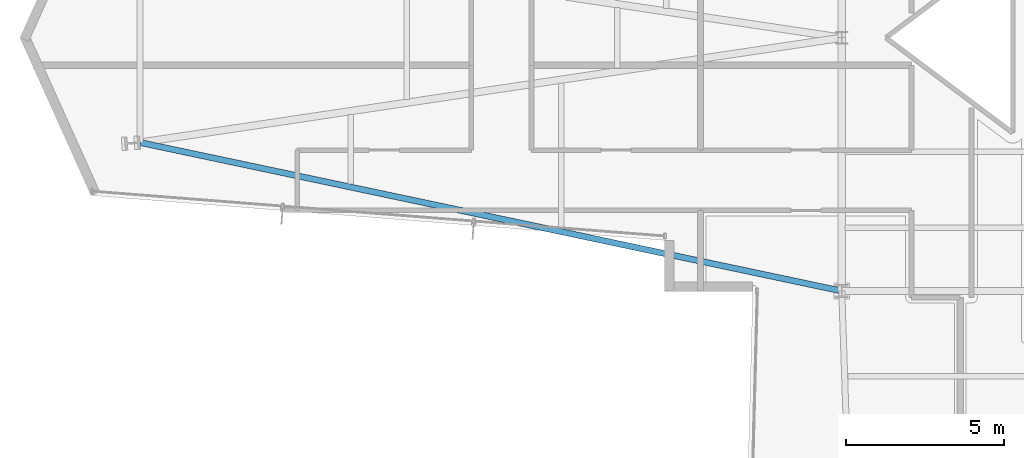
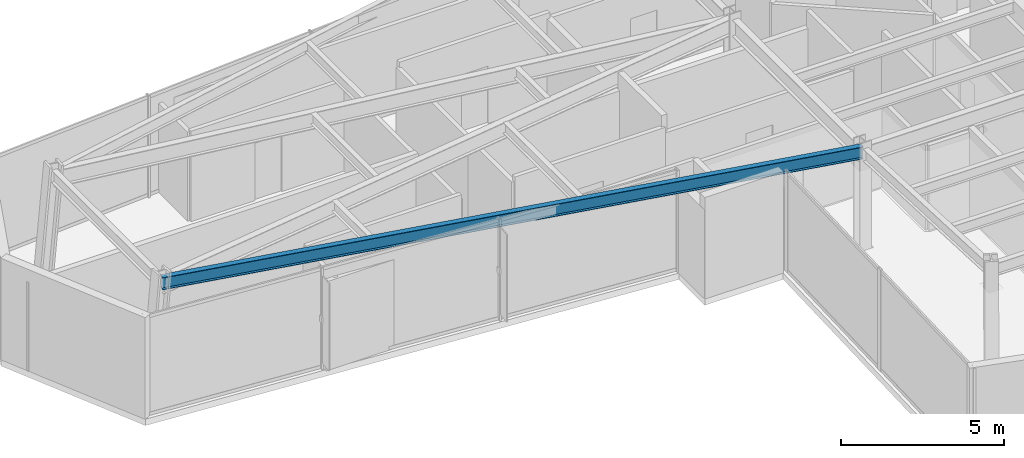
# One storey, part 5 of 31: 1 beam.
"""IFC4 building model written with IfcOpenShell, lengths in metres."""

from ifc_helpers import new_model, si_unit, direction, frame, origin, origin_2d, place, context, subcontext, project, spatial, i_section, extrude, material, material_profile, profile_set, type_object, element, save


model = new_model("IFC4")

# Units and contexts
model_context = context("Model", 3, precision=1e-05, world=origin(), true_north=direction((0.0, 1.0)))
body_context = subcontext(model_context, "Body", "Model", "MODEL_VIEW")
ifc_project = project(units=[si_unit("LENGTHUNIT", "METRE"), si_unit("AREAUNIT", "SQUARE_METRE"), si_unit("VOLUMEUNIT", "CUBIC_METRE"), si_unit("PLANEANGLEUNIT", "RADIAN"), si_unit("MASSUNIT", "GRAM", prefix="KILO")], contexts=[model_context])

# Site, building, storey
site_placement = place(None, origin())
site = spatial("IfcSite", under=ifc_project, at=site_placement, CompositionType="ELEMENT")
building_placement = place(site_placement, origin())
building = spatial("IfcBuilding", under=site, at=building_placement, Name="Veymaron Broadcast Tower", CompositionType="ELEMENT")
storey_placement = place(building_placement, frame((0.0, 0.0, 70.199951171875)))
storey = spatial("IfcBuildingStorey", under=building, at=storey_placement, Name="L15", CompositionType="ELEMENT", Elevation=70.199951171875)

# Beam
ifc_material = material(Name="Structural steel ASTM A992 Gr 50", Category="steel")
ifc_material_profile = material_profile(ifc_material, i_section(OverallWidth=0.19091796875, OverallDepth=0.4599609375, WebThickness=0.010009765625, FlangeThickness=0.01611328125, at=origin_2d()), Name="W460X82")
ifc_profile_set = profile_set([ifc_material_profile], Name="Structural steel ASTM A992 Gr 50")
beam_type = type_object("IfcBeamType", Name="BM-SP1", PredefinedType="SPANDREL", material=ifc_profile_set)
beam_placement = place(storey_placement, frame((9.0419921875, 20.68994140625, 3.580078125), z_axis=(0.978325730087, -0.207071885708, 0.0), x_axis=(0.207071885708, 0.978325730087, 0.0)))
element("IfcBeam", 1, at=beam_placement, inside=storey, type_object=beam_type, Name="L15 primary structural floor girder", PredefinedType="SPANDREL", context=body_context, shape_type="SweptSolid", body=[
    extrude(i_section(OverallWidth=0.19091796875, OverallDepth=0.4599609375, WebThickness=0.010009765625, FlangeThickness=0.01611328125, at=origin_2d()), origin(), (0.0, 0.0, 1.0), 22.64892578125),
])

save(model, "model.ifc")
